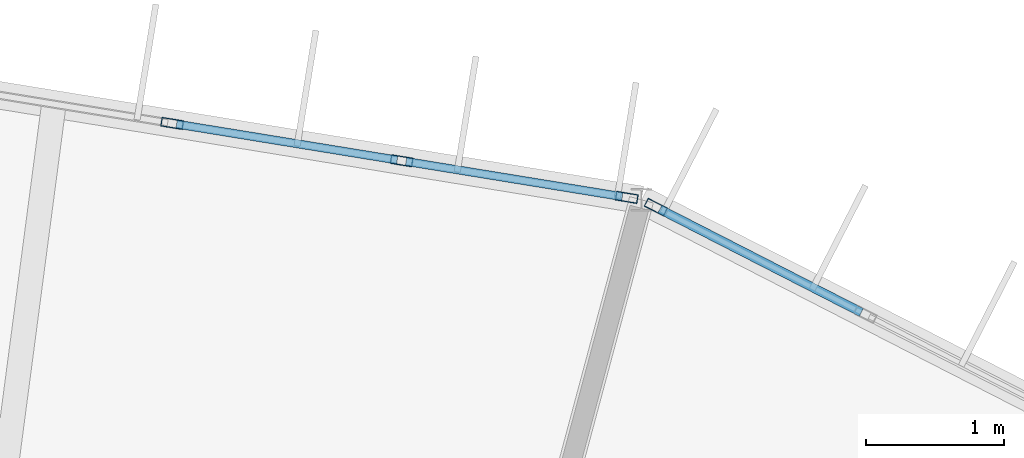
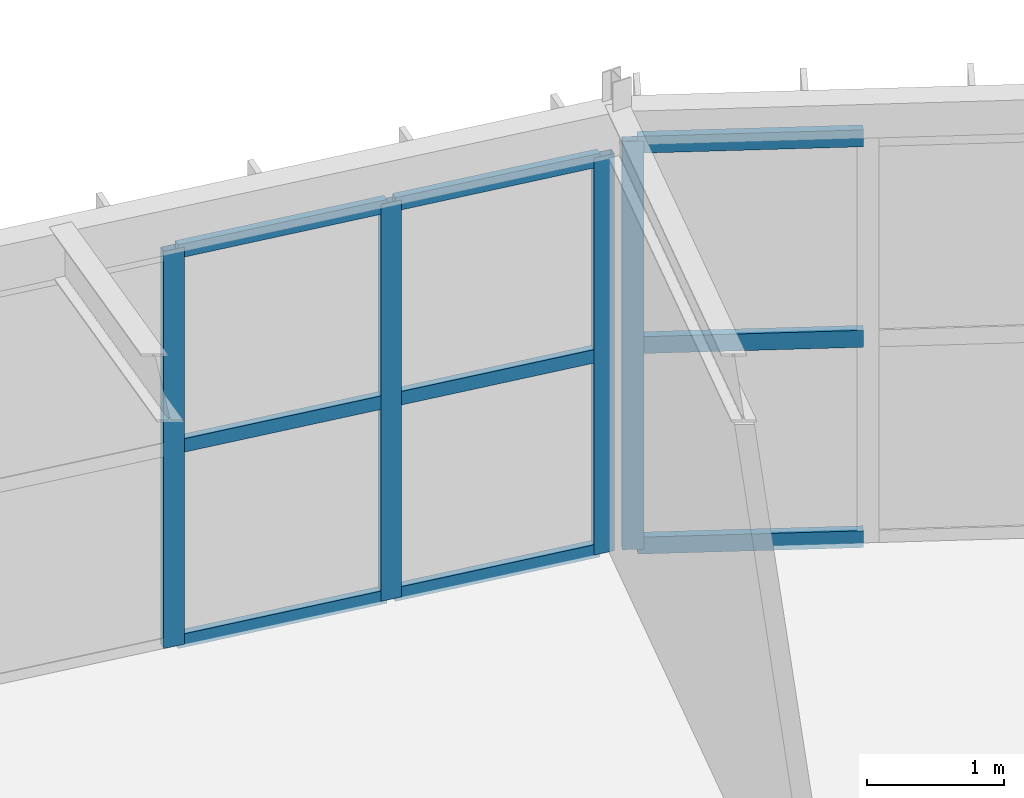
# One storey, part 74 of 106: 13 members, 2 elements without a shape of their own.
"""IFC4 building model written with IfcOpenShell, lengths in metres."""

from ifc_helpers import new_model, si_unit, direction, frame, origin, origin_2d, place, context, subcontext, project, spatial, hollow_rectangle, extrude, material, material_profile, profile_set, type_object, element, aggregate, save


model = new_model("IFC4")

# Units and contexts
model_context = context("Model", 3, precision=1e-05, world=origin(), true_north=direction((0.0, 1.0)))
body_context = subcontext(model_context, "Body", "Model", "MODEL_VIEW")
ifc_project = project(units=[si_unit("LENGTHUNIT", "METRE"), si_unit("AREAUNIT", "SQUARE_METRE"), si_unit("VOLUMEUNIT", "CUBIC_METRE"), si_unit("PLANEANGLEUNIT", "RADIAN"), si_unit("MASSUNIT", "GRAM", prefix="KILO")], contexts=[model_context])

# Site, building, storey
site_placement = place(None, origin())
site = spatial("IfcSite", under=ifc_project, at=site_placement, CompositionType="ELEMENT")
building_placement = place(site_placement, origin())
building = spatial("IfcBuilding", under=site, at=building_placement, Name="Karori Crest Natural Sciences Institute", CompositionType="ELEMENT")
storey_placement = place(building_placement, frame((0.0, 0.0, 25.89990234375)))
storey = spatial("IfcBuildingStorey", under=building, at=storey_placement, Name="L06", CompositionType="ELEMENT", Elevation=25.89990234375)

# Curtain wall, member
ifc_material = material(Name="Anodised architectural aluminium 6063-T6", Category="aluminium")
curtain_wall_type_1 = type_object("IfcCurtainWallType", Name="CWT-05", PredefinedType="NOTDEFINED", material=ifc_material)
curtain_wall_1_placement = place(storey_placement, origin())
curtain_wall_1 = element("IfcCurtainWall", 1, at=curtain_wall_1_placement, inside=storey, type_object=curtain_wall_type_1, Name="Curtain wall CW-0226", PredefinedType="NOTDEFINED")
ifc_material_profile_1 = material_profile(ifc_material, hollow_rectangle(XDim=0.06494140625, YDim=0.159912109375, WallThickness=0.00390625, at=origin_2d()), Name="CWM160x65x4")
ifc_profile_set_1 = profile_set([ifc_material_profile_1], Name="Anodised architectural aluminium 6063-T6")
member_type_1 = type_object("IfcMemberType", Name="CWM-01", PredefinedType="MULLION", material=ifc_profile_set_1)
member_1_placement = place(storey_placement, frame((75.045166015625, 89.256591796875, 0.0), z_axis=(0.0, 0.0, 1.0), x_axis=(0.455828878252, 0.890067432138, 0.0)))
member_1 = element("IfcMember", 2, at=member_1_placement, type_object=member_type_1, Name="CW-0226 mullion 1", PredefinedType="MULLION", context=body_context, shape_type="SweptSolid", body=[
    extrude(hollow_rectangle(XDim=0.06494140625, YDim=0.159912109375, WallThickness=0.00390625, at=origin_2d()), origin(), (0.0, 0.0, 1.0), 3.625),
])

# Curtain wall, members
curtain_wall_type_2 = type_object("IfcCurtainWallType", Name="CWT-06", PredefinedType="NOTDEFINED", material=ifc_material)
curtain_wall_2_placement = place(storey_placement, origin())
curtain_wall_2 = element("IfcCurtainWall", 3, at=curtain_wall_2_placement, inside=storey, type_object=curtain_wall_type_2, Name="Curtain wall CW-0228", PredefinedType="NOTDEFINED")
member_2_placement = place(storey_placement, frame((71.530029296875, 89.864990234375, 0.0), z_axis=(0.0, 0.0, 1.0), x_axis=(0.160655493101, 0.987010543275, 0.0)))
member_2 = element("IfcMember", 4, at=member_2_placement, type_object=member_type_1, Name="CW-0228 mullion 4", PredefinedType="MULLION", context=body_context, shape_type="SweptSolid", body=[
    extrude(hollow_rectangle(XDim=0.06494140625, YDim=0.159912109375, WallThickness=0.00390625, at=origin_2d()), origin(), (0.0, 0.0, 1.0), 3.525146484375),
])
member_3_placement = place(storey_placement, frame((73.197998046875, 89.593505859375, 0.0), z_axis=(0.0, 0.0, 1.0), x_axis=(0.160655493101, 0.987010543275, 0.0)))
member_3 = element("IfcMember", 5, at=member_3_placement, type_object=member_type_1, Name="CW-0228 mullion 5", PredefinedType="MULLION", context=body_context, shape_type="SweptSolid", body=[
    extrude(hollow_rectangle(XDim=0.06494140625, YDim=0.159912109375, WallThickness=0.00390625, at=origin_2d()), origin(), (0.0, 0.0, 1.0), 3.525146484375),
])
member_4_placement = place(storey_placement, frame((74.833984375, 89.3271484375, 0.0), z_axis=(0.0, 0.0, 1.0), x_axis=(0.160655493101, 0.987010543275, 0.0)))
member_4 = element("IfcMember", 6, at=member_4_placement, type_object=member_type_1, Name="CW-0228 mullion 6", PredefinedType="MULLION", context=body_context, shape_type="SweptSolid", body=[
    extrude(hollow_rectangle(XDim=0.06494140625, YDim=0.159912109375, WallThickness=0.00390625, at=origin_2d()), origin(), (0.0, 0.0, 1.0), 3.525146484375),
])
ifc_material_profile_2 = material_profile(ifc_material, hollow_rectangle(XDim=0.06005859375, YDim=0.1201171875, WallThickness=0.00390625, at=origin_2d()), Name="CWT120x60x4")
ifc_profile_set_2 = profile_set([ifc_material_profile_2], Name="Anodised architectural aluminium 6063-T6")
member_type_2 = type_object("IfcMemberType", Name="CWT-TR1", PredefinedType="USERDEFINED", material=ifc_profile_set_2)
member_5_placement = place(storey_placement, frame((71.56201171875, 89.85986328125, 0.030029296875), z_axis=(0.986996186507, -0.160743671166, 0.0), x_axis=(0.160743671166, 0.986996186507, 0.0)))
member_5 = element("IfcMember", 7, at=member_5_placement, type_object=member_type_2, Name="CW-0228 transom 4.1", ObjectType="TRANSOM", PredefinedType="USERDEFINED", context=body_context, shape_type="SweptSolid", body=[
    extrude(hollow_rectangle(XDim=0.06005859375, YDim=0.1201171875, WallThickness=0.00390625, at=origin_2d()), origin(), (0.0, 0.0, 1.0), 1.625244140625),
])
member_6_placement = place(storey_placement, frame((71.56201171875, 89.85986328125, 1.7626953125), z_axis=(0.986996186507, -0.160743671166, 0.0), x_axis=(0.160743671166, 0.986996186507, 0.0)))
member_6 = element("IfcMember", 8, at=member_6_placement, type_object=member_type_2, Name="CW-0228 transom 4.2", ObjectType="TRANSOM", PredefinedType="USERDEFINED", context=body_context, shape_type="SweptSolid", body=[
    extrude(hollow_rectangle(XDim=0.06005859375, YDim=0.1201171875, WallThickness=0.00390625, at=origin_2d()), origin(), (0.0, 0.0, 1.0), 1.625244140625),
])
member_7_placement = place(storey_placement, frame((71.56201171875, 89.85986328125, 3.4951171875), z_axis=(0.986996186507, -0.160743671166, 0.0), x_axis=(0.160743671166, 0.986996186507, 0.0)))
member_7 = element("IfcMember", 9, at=member_7_placement, type_object=member_type_2, Name="CW-0228 transom 4.3", ObjectType="TRANSOM", PredefinedType="USERDEFINED", context=body_context, shape_type="SweptSolid", body=[
    extrude(hollow_rectangle(XDim=0.06005859375, YDim=0.1201171875, WallThickness=0.00390625, at=origin_2d()), origin(), (0.0, 0.0, 1.0), 1.625244140625),
])
member_8_placement = place(storey_placement, frame((73.22998046875, 89.58837890625, 0.030029296875), z_axis=(0.987008400747, -0.16066865548, 0.0), x_axis=(0.16066865548, 0.987008400747, 0.0)))
member_8 = element("IfcMember", 10, at=member_8_placement, type_object=member_type_2, Name="CW-0228 transom 5.1", ObjectType="TRANSOM", PredefinedType="USERDEFINED", context=body_context, shape_type="SweptSolid", body=[
    extrude(hollow_rectangle(XDim=0.06005859375, YDim=0.1201171875, WallThickness=0.00390625, at=origin_2d()), origin(), (0.0, 0.0, 1.0), 1.592529296875),
])
member_9_placement = place(storey_placement, frame((73.22998046875, 89.58837890625, 1.7626953125), z_axis=(0.987008400747, -0.16066865548, 0.0), x_axis=(0.16066865548, 0.987008400747, 0.0)))
member_9 = element("IfcMember", 11, at=member_9_placement, type_object=member_type_2, Name="CW-0228 transom 5.2", ObjectType="TRANSOM", PredefinedType="USERDEFINED", context=body_context, shape_type="SweptSolid", body=[
    extrude(hollow_rectangle(XDim=0.06005859375, YDim=0.1201171875, WallThickness=0.00390625, at=origin_2d()), origin(), (0.0, 0.0, 1.0), 1.592529296875),
])
member_10_placement = place(storey_placement, frame((73.22998046875, 89.58837890625, 3.4951171875), z_axis=(0.987008400747, -0.16066865548, 0.0), x_axis=(0.16066865548, 0.987008400747, 0.0)))
member_10 = element("IfcMember", 12, at=member_10_placement, type_object=member_type_2, Name="CW-0228 transom 5.3", ObjectType="TRANSOM", PredefinedType="USERDEFINED", context=body_context, shape_type="SweptSolid", body=[
    extrude(hollow_rectangle(XDim=0.06005859375, YDim=0.1201171875, WallThickness=0.00390625, at=origin_2d()), origin(), (0.0, 0.0, 1.0), 1.592529296875),
])
aggregate(curtain_wall_2, [member_2, member_3, member_4, member_5, member_6, member_7, member_8, member_9, member_10])

# Member
ifc_material_profile_3 = material_profile(ifc_material, hollow_rectangle(XDim=0.06494140625, YDim=0.14990234375, WallThickness=0.00390625, at=origin_2d()), Name="CWT150x65x4")
ifc_profile_set_3 = profile_set([ifc_material_profile_3], Name="Anodised architectural aluminium 6063-T6")
member_type_3 = type_object("IfcMemberType", Name="CWT-TR2", PredefinedType="USERDEFINED", material=ifc_profile_set_3)
member_11_placement = place(storey_placement, frame((75.073974609375, 89.24169921875, 0.03271484375), z_axis=(0.890084461025, -0.455795625518, 0.0), x_axis=(0.455795625518, 0.890084461025, 0.0)))
member_11 = element("IfcMember", 13, at=member_11_placement, type_object=member_type_3, Name="CW-0226 transom 1.1", ObjectType="TRANSOM", PredefinedType="USERDEFINED", context=body_context, shape_type="SweptSolid", body=[
    extrude(hollow_rectangle(XDim=0.06494140625, YDim=0.14990234375, WallThickness=0.00390625, at=origin_2d()), origin(), (0.0, 0.0, 1.0), 1.64599609375),
])

member_12_placement = place(storey_placement, frame((75.073974609375, 89.24169921875, 1.8125), z_axis=(0.890084461025, -0.455795625518, 0.0), x_axis=(0.455795625518, 0.890084461025, 0.0)))
member_12 = element("IfcMember", 14, at=member_12_placement, type_object=member_type_3, Name="CW-0226 transom 1.2", ObjectType="TRANSOM", PredefinedType="USERDEFINED", context=body_context, shape_type="SweptSolid", body=[
    extrude(hollow_rectangle(XDim=0.06494140625, YDim=0.14990234375, WallThickness=0.00390625, at=origin_2d()), origin(), (0.0, 0.0, 1.0), 1.64599609375),
])

member_13_placement = place(storey_placement, frame((75.073974609375, 89.24169921875, 3.592529296875), z_axis=(0.890084461025, -0.455795625518, 0.0), x_axis=(0.455795625518, 0.890084461025, 0.0)))
member_13 = element("IfcMember", 15, at=member_13_placement, type_object=member_type_3, Name="CW-0226 transom 1.3", ObjectType="TRANSOM", PredefinedType="USERDEFINED", context=body_context, shape_type="SweptSolid", body=[
    extrude(hollow_rectangle(XDim=0.06494140625, YDim=0.14990234375, WallThickness=0.00390625, at=origin_2d()), origin(), (0.0, 0.0, 1.0), 1.64599609375),
])

aggregate(curtain_wall_1, [member_1, member_11, member_12, member_13])

save(model, "model.ifc")
